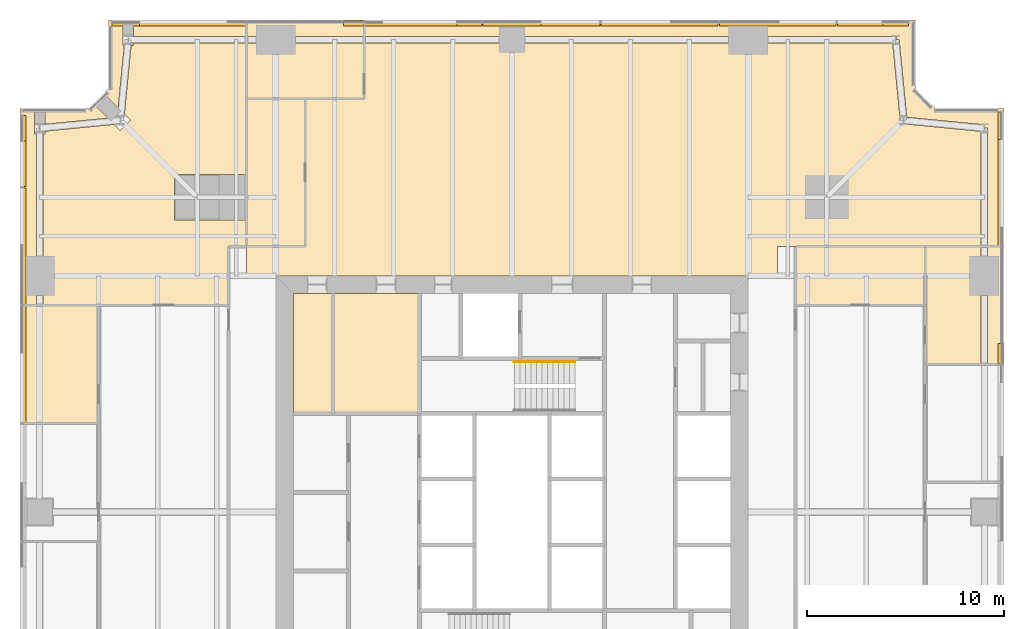
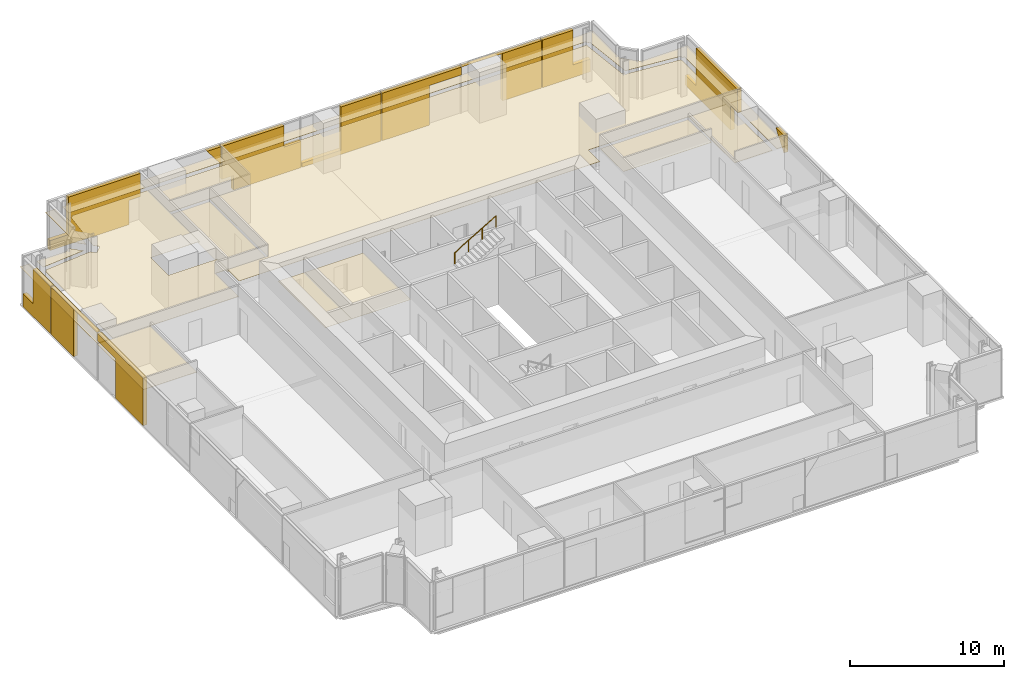
# One storey, part 14 of 14: 28 coverings, 1 railing.
"""IFC4 building model written with IfcOpenShell, lengths in metres."""

from ifc_helpers import new_model, si_unit, direction, frame, origin, origin_2d, place, context, subcontext, project, spatial, polyline, circle, outline, extrude, material, layer, layer_set, type_object, element, save


model = new_model("IFC4")

# Units and contexts
model_context = context("Model", 3, precision=1e-05, world=origin(), true_north=direction((0.0, 1.0)))
body_context = subcontext(model_context, "Body", "Model", "MODEL_VIEW")
ifc_project = project(units=[si_unit("LENGTHUNIT", "METRE"), si_unit("AREAUNIT", "SQUARE_METRE"), si_unit("VOLUMEUNIT", "CUBIC_METRE"), si_unit("PLANEANGLEUNIT", "RADIAN"), si_unit("MASSUNIT", "GRAM", prefix="KILO")], contexts=[model_context])

# Site, building, storey
site_placement = place(None, origin())
site = spatial("IfcSite", under=ifc_project, at=site_placement, CompositionType="ELEMENT")
building_placement = place(site_placement, origin())
building = spatial("IfcBuilding", under=site, at=building_placement, Name="Fenwick Lantern Interchange", CompositionType="ELEMENT")
storey_placement = place(building_placement, frame((0.0, 0.0, 150.39990234375)))
storey = spatial("IfcBuildingStorey", under=building, at=storey_placement, Name="L35", CompositionType="ELEMENT", Elevation=150.39990234375)

# Coverings
ifc_material_1 = material(Name="Mineral fibre acoustic tile on suspended grid")
ifc_layer_1 = layer(ifc_material_1, 0.02001953125)
ifc_layer_set_1 = layer_set([ifc_layer_1], Name="ACOUSTIC TILE CEILING 20")
covering_type_1 = type_object("IfcCoveringType", Name="ACOUSTIC TILE CEILING 20", PredefinedType="CEILING", material=ifc_layer_set_1)
covering_1_placement = place(storey_placement, frame((0.0, 0.0, 2.900146484375)))
element("IfcCovering", 1, at=covering_1_placement, inside=storey, type_object=covering_type_1, Name="Office ceiling", PredefinedType="CEILING", context=body_context, shape_type="SweptSolid", body=[
    extrude(outline(polyline([(46.0, 32.5), (48.82763671875, 32.5), (48.82763671875, 37.0), (48.82763671875, 38.5), (46.0, 38.5), (46.0, 32.5)])), origin(), (0.0, 0.0, 1.0), 0.02001953125),
])
covering_2_placement = place(storey_placement, frame((0.0, 0.0, 2.900146484375)))
element("IfcCovering", 2, at=covering_2_placement, inside=storey, type_object=covering_type_1, Name="Office ceiling", PredefinedType="CEILING", context=body_context, shape_type="SweptSolid", body=[
    extrude(outline(polyline([(50.0, 38.5), (49.17236328125, 38.5), (49.17236328125, 37.0), (49.17236328125, 32.5), (50.0, 32.5), (50.0, 38.5)])), origin(), (0.0, 0.0, 1.0), 0.02001953125),
])
covering_3_placement = place(storey_placement, frame((0.0, 0.0, 2.7001953125)))
element("IfcCovering", 3, at=covering_3_placement, inside=storey, type_object=covering_type_1, Name="Print and copy room ceiling", PredefinedType="CEILING", context=body_context, shape_type="SweptSolid", body=[
    extrude(outline(polyline([(46.0, 35.5), (46.0, 38.5), (39.39990234375, 38.5), (39.39990234375, 35.5), (46.0, 35.5)])), origin(), (0.0, 0.0, 1.0), 0.02001953125),
])
covering_4_placement = place(storey_placement, frame((0.0, 0.0, 2.900146484375)))
element("IfcCovering", 4, at=covering_4_placement, inside=storey, type_object=covering_type_1, Name="Open office ceiling", PredefinedType="CEILING", context=body_context, shape_type="SweptSolid", body=[
    extrude(outline(polyline([(38.5, 38.5), (48.82763671875, 38.5), (48.82763671875, 44.343505859375), (44.88330078125, 44.728515625), (44.89990234375, 44.89990234375), (44.728515625, 44.88330078125), (44.343505859375, 48.82763671875), (37.0, 48.82763671875), (25.0, 48.82763671875), (17.5, 48.82763671875), (17.5, 46.0), (14.5, 46.0), (14.5, 38.5), (11.5, 38.5), (11.5, 37.0), (38.5, 37.0), (38.5, 38.5)])), origin(), (0.0, 0.0, 1.0), 0.02001953125),
])
covering_5_placement = place(storey_placement, frame((0.0, 0.0, 2.900146484375)))
element("IfcCovering", 5, at=covering_5_placement, inside=storey, type_object=covering_type_1, Name="Open office ceiling", PredefinedType="CEILING", context=body_context, shape_type="SweptSolid", body=[
    extrude(outline(polyline([(45.5, 46.5), (45.5, 50.0), (17.5, 50.0), (17.5, 49.17236328125), (25.0, 49.17236328125), (37.0, 49.17236328125), (44.5, 49.17236328125), (44.5, 49.0), (44.671630859375, 49.016845703125), (45.057861328125, 45.057861328125), (49.016845703125, 44.671630859375), (49.0, 44.5), (49.17236328125, 44.5), (49.17236328125, 38.5), (50.0, 38.5), (50.0, 45.5), (46.5, 45.5), (45.5, 46.5)])), origin(), (0.0, 0.0, 1.0), 0.02001953125),
])
covering_6_placement = place(storey_placement, frame((0.0, 0.0, 2.900146484375)))
element("IfcCovering", 6, at=covering_6_placement, inside=storey, type_object=covering_type_1, Name="Meeting room ceiling", PredefinedType="CEILING", context=body_context, shape_type="SweptSolid", body=[
    extrude(outline(polyline([(17.5, 46.0), (17.5, 48.82763671875), (13.0, 48.82763671875), (11.5, 48.82763671875), (11.5, 46.0), (17.5, 46.0)])), origin(), (0.0, 0.0, 1.0), 0.02001953125),
])
covering_7_placement = place(storey_placement, frame((0.0, 0.0, 2.900146484375)))
element("IfcCovering", 7, at=covering_7_placement, inside=storey, type_object=covering_type_1, Name="Meeting room ceiling", PredefinedType="CEILING", context=body_context, shape_type="SweptSolid", body=[
    extrude(outline(polyline([(11.5, 50.0), (11.5, 49.17236328125), (13.0, 49.17236328125), (17.5, 49.17236328125), (17.5, 50.0), (11.5, 50.0)])), origin(), (0.0, 0.0, 1.0), 0.02001953125),
])
covering_8_placement = place(storey_placement, frame((0.0, 0.0, 2.900146484375)))
element("IfcCovering", 8, at=covering_8_placement, inside=storey, type_object=covering_type_1, Name="Office study ceiling", PredefinedType="CEILING", context=body_context, shape_type="SweptSolid", body=[
    extrude(outline(polyline([(5.76220703125, 48.71240234375), (5.645263671875, 48.71240234375), (5.303955078125, 45.21630859375), (5.620361328125, 44.89990234375), (5.10009765625, 44.379638671875), (4.78369140625, 44.696044921875), (1.26220703125, 44.352294921875), (1.26220703125, 44.21240234375), (1.17236328125, 44.21240234375), (1.17236328125, 37.0), (1.17236328125, 35.5), (10.60009765625, 35.5), (10.60009765625, 38.5), (11.5, 38.5), (11.5, 39.85009765625), (7.85009765625, 39.85009765625), (7.85009765625, 42.14990234375), (11.5, 42.14990234375), (11.5, 48.82763671875), (5.76220703125, 48.82763671875), (5.76220703125, 48.71240234375)])), origin(), (0.0, 0.0, 1.0), 0.02001953125),
])
covering_9_placement = place(storey_placement, frame((0.0, 0.0, 2.900146484375)))
element("IfcCovering", 9, at=covering_9_placement, inside=storey, type_object=covering_type_1, Name="Office study ceiling", PredefinedType="CEILING", context=body_context, shape_type="SweptSolid", body=[
    extrude(outline(polyline([(0.0, 35.5), (0.82763671875, 35.5), (0.82763671875, 37.0), (0.82763671875, 44.21240234375), (0.73779296875, 44.21240234375), (0.73779296875, 45.5), (0.0, 45.5), (0.0, 35.5)])), origin(), (0.0, 0.0, 1.0), 0.02001953125),
])
covering_10_placement = place(storey_placement, frame((0.0, 0.0, 2.900146484375)))
element("IfcCovering", 10, at=covering_10_placement, inside=storey, type_object=covering_type_1, Name="Office study ceiling", PredefinedType="CEILING", context=body_context, shape_type="SweptSolid", body=[
    extrude(outline(polyline([(5.76220703125, 50.0), (5.76220703125, 49.17236328125), (11.5, 49.17236328125), (11.5, 50.0), (5.76220703125, 50.0)])), origin(), (0.0, 0.0, 1.0), 0.02001953125),
])
covering_11_placement = place(storey_placement, frame((0.0, 0.0, 2.900146484375)))
element("IfcCovering", 11, at=covering_11_placement, inside=storey, type_object=covering_type_1, Name="Office study ceiling", PredefinedType="CEILING", context=body_context, shape_type="SweptSolid", body=[
    extrude(outline(polyline([(5.298828125, 48.71240234375), (5.23779296875, 48.71240234375), (5.23779296875, 50.0), (4.5, 50.0), (4.5, 46.5), (4.26025390625, 46.26025390625), (4.988525390625, 45.531982421875), (5.298828125, 48.71240234375)])), origin(), (0.0, 0.0, 1.0), 0.02001953125),
])
covering_12_placement = place(storey_placement, frame((0.0, 0.0, 2.900146484375)))
element("IfcCovering", 12, at=covering_12_placement, inside=storey, type_object=covering_type_1, Name="Office study ceiling", PredefinedType="CEILING", context=body_context, shape_type="SweptSolid", body=[
    extrude(outline(polyline([(1.26220703125, 45.5), (1.26220703125, 44.69873046875), (4.468017578125, 45.011474609375), (3.73974609375, 45.73974609375), (3.5, 45.5), (1.26220703125, 45.5)])), origin(), (0.0, 0.0, 1.0), 0.02001953125),
])
covering_13_placement = place(storey_placement, frame((0.0, 0.0, 2.8681640625)))
element("IfcCovering", 13, at=covering_13_placement, inside=storey, type_object=covering_type_1, Name="Office ceiling", PredefinedType="CEILING", context=body_context, shape_type="SweptSolid", body=[
    extrude(outline(polyline([(0.0, 35.5), (0.0, 29.5), (4.0, 29.5), (4.0, 35.5), (0.0, 35.5)])), origin(), (0.0, 0.0, 1.0), 0.02001953125),
])
ifc_material_2 = material(Name="Granite cladding, warm grey flamed finish, on aluminium carrier frame", Category="masonry")
ifc_layer_2 = layer(ifc_material_2, 0.300048828125)
ifc_layer_set_2 = layer_set([ifc_layer_2], Name="BRACE CASING PANEL 300")
covering_type_2 = type_object("IfcCoveringType", Name="BRACE CASING PANEL 300", PredefinedType="CLADDING", material=ifc_layer_set_2)
covering_14_placement = place(storey_placement, frame((49.89990234375, 4.60009765625, 2.379150390625), z_axis=(0.0, 0.0, 1.0), x_axis=(0.0, 1.0, 0.0)))
element("IfcCovering", 14, at=covering_14_placement, inside=storey, type_object=covering_type_2, Name="Brace casing 05 bay 05a", PredefinedType="CLADDING", context=body_context, shape_type="SweptSolid", body=[
    extrude(outline(polyline([(27.9326171875, 0.0), (28.96826171875, 1.370849609375), (27.9326171875, 1.370849609375), (27.9326171875, 0.0)])), frame((0.0, 0.2001953125, 0.0), z_axis=(0.0, -1.0, 0.0), x_axis=(1.0, 0.0, 0.0)), (0.0, 0.0, 1.0), 0.300048828125),
])
covering_15_placement = place(storey_placement, frame((49.89990234375, 4.60009765625, 0.0), z_axis=(0.0, 0.0, 1.0), x_axis=(0.0, 1.0, 0.0)))
element("IfcCovering", 15, at=covering_15_placement, inside=storey, type_object=covering_type_2, Name="Brace casing 05 bay 06a", PredefinedType="CLADDING", context=body_context, shape_type="SweptSolid", body=[
    extrude(outline(polyline([(34.83251953125, 0.0), (40.735107421875, 0.0), (40.735107421875, 0.79541015625), (39.34033203125, 0.79541015625), (39.34033203125, 3.75), (33.9326171875, 3.75), (33.9326171875, 1.9111328125), (34.83251953125, 1.9111328125), (34.83251953125, 0.0)])), frame((0.0, 0.2001953125, 0.0), z_axis=(0.0, -1.0, 0.0), x_axis=(1.0, 0.0, 0.0)), (0.0, 0.0, 1.0), 0.300048828125),
])
covering_16_placement = place(storey_placement, frame((45.39990234375, 49.89990234375, 0.0), z_axis=(0.0, 0.0, 1.0), x_axis=(-1.0, 0.0, 0.0)))
element("IfcCovering", 16, at=covering_16_placement, inside=storey, type_object=covering_type_2, Name="Brace casing 09 bay 00a", PredefinedType="CLADDING", context=body_context, shape_type="SweptSolid", body=[
    extrude(outline(polyline([(0.264892578125, 0.0), (3.867431640625, 0.0), (3.867431640625, 3.75), (1.56005859375, 3.75), (1.56005859375, 1.008056640625), (0.264892578125, 1.008056640625), (0.264892578125, 0.0)])), frame((0.0, 0.2001953125, 0.0), z_axis=(0.0, -1.0, 0.0), x_axis=(1.0, 0.0, 0.0)), (0.0, 0.0, 1.0), 0.300048828125),
])
covering_17_placement = place(storey_placement, frame((45.39990234375, 49.89990234375, 0.0), z_axis=(0.0, 0.0, 1.0), x_axis=(-1.0, 0.0, 0.0)))
element("IfcCovering", 17, at=covering_17_placement, inside=storey, type_object=covering_type_2, Name="Brace casing 09 bay 01a", PredefinedType="CLADDING", context=body_context, shape_type="SweptSolid", body=[
    extrude(outline(polyline([(3.9326171875, 0.0), (6.835205078125, 0.0), (6.835205078125, 3.7490234375), (9.867431640625, 3.7490234375), (9.867431640625, 3.75), (3.9326171875, 3.75), (3.9326171875, 0.0)])), frame((0.0, 0.2001953125, 0.0), z_axis=(0.0, -1.0, 0.0), x_axis=(1.0, 0.0, 0.0)), (0.0, 0.0, 1.0), 0.300048828125),
])
covering_18_placement = place(storey_placement, frame((45.39990234375, 49.89990234375, 0.0), z_axis=(0.0, 0.0, 1.0), x_axis=(-1.0, 0.0, 0.0)))
element("IfcCovering", 18, at=covering_18_placement, inside=storey, type_object=covering_type_2, Name="Brace casing 09 bay 02a", PredefinedType="CLADDING", context=body_context, shape_type="SweptSolid", body=[
    extrude(outline(polyline([(12.297607421875, 0.0), (15.867431640625, 0.0), (15.867431640625, 3.75), (9.9326171875, 3.75), (9.9326171875, 3.133544921875), (12.297607421875, 3.133544921875), (12.297607421875, 0.0)])), frame((0.0, 0.2001953125, 0.0), z_axis=(0.0, -1.0, 0.0), x_axis=(1.0, 0.0, 0.0)), (0.0, 0.0, 1.0), 0.300048828125),
])
covering_19_placement = place(storey_placement, frame((45.39990234375, 49.89990234375, 0.0), z_axis=(0.0, 0.0, 1.0), x_axis=(-1.0, 0.0, 0.0)))
element("IfcCovering", 19, at=covering_19_placement, inside=storey, type_object=covering_type_2, Name="Brace casing 09 bay 03a", PredefinedType="CLADDING", context=body_context, shape_type="SweptSolid", body=[
    extrude(outline(polyline([(15.9326171875, 0.0), (21.867431640625, 0.0), (21.867431640625, 0.328125), (18.928466796875, 0.328125), (18.928466796875, 3.75), (15.9326171875, 3.75), (15.9326171875, 0.0)])), frame((0.0, 0.2001953125, 0.0), z_axis=(0.0, -1.0, 0.0), x_axis=(1.0, 0.0, 0.0)), (0.0, 0.0, 1.0), 0.300048828125),
])
covering_20_placement = place(storey_placement, frame((45.39990234375, 49.89990234375, 0.0), z_axis=(0.0, 0.0, 1.0), x_axis=(-1.0, 0.0, 0.0)))
element("IfcCovering", 20, at=covering_20_placement, inside=storey, type_object=covering_type_2, Name="Brace casing 09 bay 04a", PredefinedType="CLADDING", context=body_context, shape_type="SweptSolid", body=[
    extrude(outline(polyline([(21.9326171875, 0.0), (27.00048828125, 0.0), (27.00048828125, 1.145263671875), (27.867431640625, 1.145263671875), (27.867431640625, 3.75), (23.192626953125, 3.75), (23.192626953125, 2.076904296875), (21.9326171875, 2.076904296875), (21.9326171875, 0.0)])), frame((0.0, 0.2001953125, 0.0), z_axis=(0.0, -1.0, 0.0), x_axis=(1.0, 0.0, 0.0)), (0.0, 0.0, 1.0), 0.300048828125),
])
covering_21_placement = place(storey_placement, frame((45.39990234375, 49.89990234375, 2.379150390625), z_axis=(0.0, 0.0, 1.0), x_axis=(-1.0, 0.0, 0.0)))
element("IfcCovering", 21, at=covering_21_placement, inside=storey, type_object=covering_type_2, Name="Brace casing 09 bay 05a", PredefinedType="CLADDING", context=body_context, shape_type="SweptSolid", body=[
    extrude(outline(polyline([(27.9326171875, 0.0), (28.96826171875, 1.370849609375), (27.9326171875, 1.370849609375), (27.9326171875, 0.0)])), frame((0.0, 0.2001953125, 0.0), z_axis=(0.0, -1.0, 0.0), x_axis=(1.0, 0.0, 0.0)), (0.0, 0.0, 1.0), 0.300048828125),
])
covering_22_placement = place(storey_placement, frame((45.39990234375, 49.89990234375, 0.0), z_axis=(0.0, 0.0, 1.0), x_axis=(-1.0, 0.0, 0.0)))
element("IfcCovering", 22, at=covering_22_placement, inside=storey, type_object=covering_type_2, Name="Brace casing 09 bay 06a", PredefinedType="CLADDING", context=body_context, shape_type="SweptSolid", body=[
    extrude(outline(polyline([(34.83251953125, 0.0), (40.735107421875, 0.0), (40.735107421875, 0.79541015625), (39.34033203125, 0.79541015625), (39.34033203125, 3.75), (33.9326171875, 3.75), (33.9326171875, 1.9111328125), (34.83251953125, 1.9111328125), (34.83251953125, 0.0)])), frame((0.0, 0.2001953125, 0.0), z_axis=(0.0, -1.0, 0.0), x_axis=(1.0, 0.0, 0.0)), (0.0, 0.0, 1.0), 0.300048828125),
])
covering_23_placement = place(storey_placement, frame((0.10009765625, 45.39990234375, 0.0), z_axis=(0.0, 0.0, 1.0), x_axis=(0.0, -1.0, 0.0)))
element("IfcCovering", 23, at=covering_23_placement, inside=storey, type_object=covering_type_2, Name="Brace casing 13 bay 00a", PredefinedType="CLADDING", context=body_context, shape_type="SweptSolid", body=[
    extrude(outline(polyline([(0.264892578125, 0.0), (3.867431640625, 0.0), (3.867431640625, 3.75), (1.56005859375, 3.75), (1.56005859375, 1.008056640625), (0.264892578125, 1.008056640625), (0.264892578125, 0.0)])), frame((0.0, 0.2001953125, 0.0), z_axis=(0.0, -1.0, 0.0), x_axis=(1.0, 0.0, 0.0)), (0.0, 0.0, 1.0), 0.300048828125),
])
covering_24_placement = place(storey_placement, frame((0.10009765625, 45.39990234375, 0.0), z_axis=(0.0, 0.0, 1.0), x_axis=(0.0, -1.0, 0.0)))
element("IfcCovering", 24, at=covering_24_placement, inside=storey, type_object=covering_type_2, Name="Brace casing 13 bay 01a", PredefinedType="CLADDING", context=body_context, shape_type="SweptSolid", body=[
    extrude(outline(polyline([(3.9326171875, 0.0), (6.835205078125, 0.0), (6.835205078125, 3.7490234375), (9.867431640625, 3.7490234375), (9.867431640625, 3.75), (3.9326171875, 3.75), (3.9326171875, 0.0)])), frame((0.0, 0.2001953125, 0.0), z_axis=(0.0, -1.0, 0.0), x_axis=(1.0, 0.0, 0.0)), (0.0, 0.0, 1.0), 0.300048828125),
])
covering_25_placement = place(storey_placement, frame((0.10009765625, 45.39990234375, 0.0), z_axis=(0.0, 0.0, 1.0), x_axis=(0.0, -1.0, 0.0)))
element("IfcCovering", 25, at=covering_25_placement, inside=storey, type_object=covering_type_2, Name="Brace casing 13 bay 02a", PredefinedType="CLADDING", context=body_context, shape_type="SweptSolid", body=[
    extrude(outline(polyline([(12.297607421875, 0.0), (15.867431640625, 0.0), (15.867431640625, 3.75), (9.9326171875, 3.75), (9.9326171875, 3.133544921875), (12.297607421875, 3.133544921875), (12.297607421875, 0.0)])), frame((0.0, 0.2001953125, 0.0), z_axis=(0.0, -1.0, 0.0), x_axis=(1.0, 0.0, 0.0)), (0.0, 0.0, 1.0), 0.300048828125),
])

# Railing
ifc_material_3 = material(Name="Stainless steel handrail", Category="steel")
railing_type = type_object("IfcRailingType", Name="HANDRAIL 900", PredefinedType="HANDRAIL", material=ifc_material_3)
railing_placement = place(storey_placement, frame((25.1201171875, 32.6259765625, 2.166748046875)))
element("IfcRailing", 26, at=railing_placement, inside=storey, type_object=railing_type, Name="L35/STAIR/ST2/HR2", PredefinedType="HANDRAIL", context=body_context, shape_type="SweptSolid", body=[
    extrude(circle(Radius=0.02392578125, at=origin_2d()), frame((0.0, 0.0, 0.8759765625), z_axis=(0.859290745958, 0.0, 0.51148745235), x_axis=(0.0, 1.0, 0.0)), (0.0, 0.0, 1.0), 3.584228515625),
    extrude(circle(Radius=0.02099609375, at=origin_2d()), origin(), (0.0, 0.0, 1.0), 0.851806640625),
    extrude(circle(Radius=0.02099609375, at=origin_2d()), frame((1.026611328125, 0.0, 0.611083984375)), (0.0, 0.0, 1.0), 0.851806640625),
    extrude(circle(Radius=0.02099609375, at=origin_2d()), frame((2.05322265625, 0.0, 1.22216796875)), (0.0, 0.0, 1.0), 0.851806640625),
    extrude(circle(Radius=0.02099609375, at=origin_2d()), frame((3.079833984375, 0.0, 1.833251953125)), (0.0, 0.0, 1.0), 0.851806640625),
])

# Coverings
ifc_material_4 = material(Name="Moisture resistant gypsum board on suspended frame, painted")
ifc_layer_3 = layer(ifc_material_4, 0.014892578125)
ifc_layer_set_3 = layer_set([ifc_layer_3], Name="MOISTURE RESISTANT CEILING 15")
covering_type_3 = type_object("IfcCoveringType", Name="MOISTURE RESISTANT CEILING 15", PredefinedType="CEILING", material=ifc_layer_set_3)
covering_26_placement = place(storey_placement, frame((0.0, 0.0, 2.60009765625)))
element("IfcCovering", 27, at=covering_26_placement, inside=storey, type_object=covering_type_3, Name="Women's WC ceiling", PredefinedType="CEILING", context=body_context, shape_type="SweptSolid", body=[
    extrude(outline(polyline([(20.300048828125, 36.10009765625), (15.89990234375, 36.10009765625), (15.89990234375, 30.0), (20.300048828125, 30.0), (20.300048828125, 36.10009765625)])), origin(), (0.0, 0.0, 1.0), 0.014892578125),
])
covering_27_placement = place(storey_placement, frame((0.0, 0.0, 2.60009765625)))
element("IfcCovering", 28, at=covering_27_placement, inside=storey, type_object=covering_type_3, Name="Men's WC ceiling", PredefinedType="CEILING", context=body_context, shape_type="SweptSolid", body=[
    extrude(outline(polyline([(15.89990234375, 36.10009765625), (13.89990234375, 36.10009765625), (13.89990234375, 30.0), (15.89990234375, 30.0), (15.89990234375, 36.10009765625)])), origin(), (0.0, 0.0, 1.0), 0.014892578125),
])
covering_28_placement = place(storey_placement, frame((0.0, 0.0, 2.7001953125)))
element("IfcCovering", 29, at=covering_28_placement, inside=storey, type_object=covering_type_3, Name="Pantry ceiling", PredefinedType="CEILING", context=body_context, shape_type="SweptSolid", body=[
    extrude(outline(polyline([(14.5, 46.0), (11.5, 46.0), (11.5, 38.5), (14.5, 38.5), (14.5, 46.0)])), origin(), (0.0, 0.0, 1.0), 0.014892578125),
])

save(model, "model.ifc")
